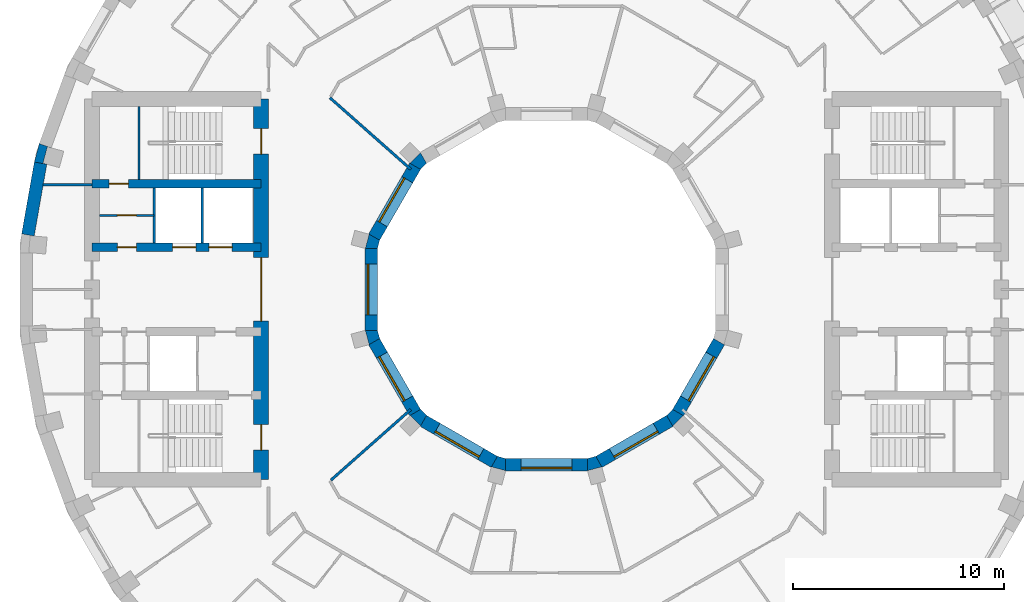
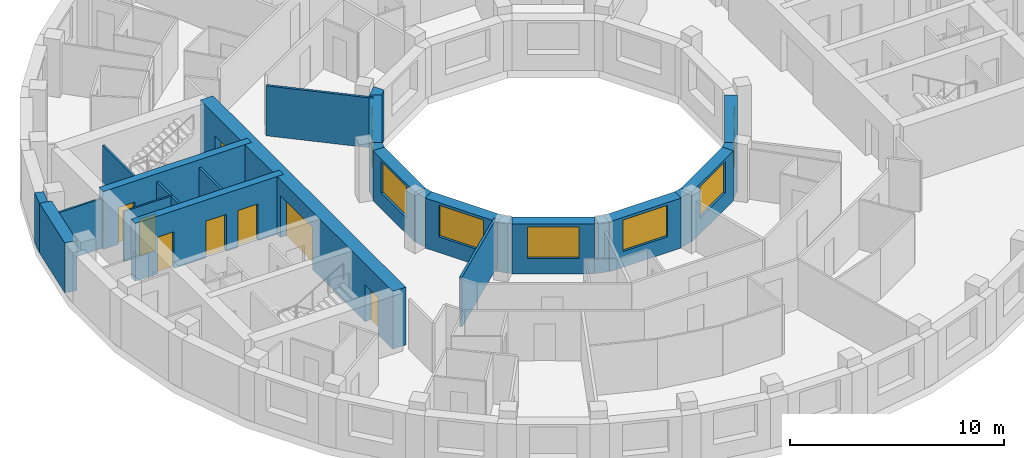
# One storey, part 4 of 11: 26 walls, 8 doors, 7 windows, 15 openings.
"""IFC4 building model written with IfcOpenShell, lengths in metres."""

from ifc_helpers import new_model, si_unit, direction, frame, frame_2d, origin, place, context, subcontext, project, spatial, polyline, rectangle, outline, extrude, material, layer, layer_set, type_object, element, fill, save


model = new_model("IFC4")

# Units and contexts
model_context = context("Model", 3, precision=1e-05, world=origin(), true_north=direction((0.0, 1.0)))
body_context = subcontext(model_context, "Body", "Model", "MODEL_VIEW")
ifc_project = project(units=[si_unit("LENGTHUNIT", "METRE"), si_unit("AREAUNIT", "SQUARE_METRE"), si_unit("VOLUMEUNIT", "CUBIC_METRE"), si_unit("PLANEANGLEUNIT", "RADIAN"), si_unit("MASSUNIT", "GRAM", prefix="KILO")], contexts=[model_context])

# Site, building, storey
site_placement = place(None, origin())
site = spatial("IfcSite", under=ifc_project, at=site_placement, CompositionType="ELEMENT")
building_placement = place(site_placement, origin())
building = spatial("IfcBuilding", under=site, at=building_placement, Name="Saqina Gate Tower", CompositionType="ELEMENT")
storey_placement = place(building_placement, frame((0.0, 0.0, 187.199951171875)))
storey = spatial("IfcBuildingStorey", under=building, at=storey_placement, Name="L53", CompositionType="ELEMENT", Elevation=187.199951171875)

# Walls
ifc_material_1 = material(Name="Brick masonry (buff)", Category="masonry")
wall_type_1 = type_object("IfcWallType", Name="BRICK PIER COPING BUFF", PredefinedType="SOLIDWALL", material=ifc_material_1)
wall_1_placement = place(storey_placement, origin())
element("IfcWall", 1, at=wall_1_placement, inside=storey, type_object=wall_type_1, Name="Pier cap L53 column 17", PredefinedType="SOLIDWALL", context=body_context, shape_type="SweptSolid", body=[
    extrude(outline(polyline([(-24.22705078125, 6.0234375), (-23.635986328125, 5.919189453125), (-23.81689453125, 5.967529296875), (-23.610107421875, 6.740478515625), (-23.428955078125, 6.69189453125), (-23.992919921875, 6.897216796875), (-24.22705078125, 6.0234375)])), origin(), (0.0, 0.0, 1.0), 2.85009765625),
])
ifc_material_2 = material(Name="Gypsum board on steel studs", Category="steel")
ifc_layer_1 = layer(ifc_material_2, 0.10009765625)
ifc_layer_set_1 = layer_set([ifc_layer_1], Name="CORE PARTITION")
wall_type_2 = type_object("IfcWallType", Name="CORE PARTITION", PredefinedType="PARTITIONING", material=ifc_layer_set_1)
wall_2_placement = place(storey_placement, frame((-21.5, 4.949951171875, 0.0), z_axis=(0.0, 0.0, 1.0), x_axis=(-1.0, 0.0, 0.0)))
element("IfcWall", 2, at=wall_2_placement, inside=storey, type_object=wall_type_2, Name="L53-CP-W01", PredefinedType="PARTITIONING", context=body_context, shape_type="SweptSolid", body=[
    extrude(rectangle(XDim=2.306884765625, YDim=0.10009765625, at=frame_2d((1.1533203125, 0.0))), origin(), (0.0, 0.0, 1.0), 2.85009765625),
])

# Wall, opening, door
wall_3_placement = place(storey_placement, frame((-18.56005859375, 3.5, 0.0), z_axis=(0.0, 0.0, 1.0), x_axis=(-1.0, 0.0, 0.0)))
wall_3 = element("IfcWall", 3, at=wall_3_placement, inside=storey, type_object=wall_type_2, Name="L53-CP-W10", PredefinedType="PARTITIONING", context=body_context, shape_type="SweptSolid", body=[
    extrude(rectangle(XDim=2.58984375, YDim=0.10009765625, at=frame_2d((1.294921875, 0.0))), origin(), (0.0, 0.0, 1.0), 2.85009765625),
])
opening_1_placement = place(wall_3_placement, frame((0.844970703125, 0.0, 0.0)))
opening_1 = element("IfcOpeningElement", 4, at=opening_1_placement, cuts=wall_3, Name="Opening G15-D113", PredefinedType="OPENING", context=body_context, shape_type="SweptSolid", body=[
    extrude(rectangle(XDim=0.89990234375, YDim=2.10009765625, at=frame_2d((0.449951171875, 1.050048828125))), frame((0.0, 0.06201171875, 0.0), z_axis=(0.0, -1.0, 0.0), x_axis=(1.0, 0.0, 0.0)), (0.0, 0.0, 1.0), 0.1240234375),
])
ifc_material_3 = material(Name="Steel-framed fire door leaf, EI 60", Category="steel")
door_type_1 = type_object("IfcDoorType", Name="SERVICE ROOM DOOR 900", OperationType="SINGLE_SWING_LEFT", PredefinedType="DOOR", material=ifc_material_3)
door_1_placement = place(opening_1_placement, frame((0.89990234375, 0.0, 0.0), z_axis=(0.0, 0.0, 1.0), x_axis=(-1.0, 0.0, 0.0)))
door_1 = element("IfcDoor", 5, at=door_1_placement, inside=storey, type_object=door_type_1, Name="L53-CD-W24", OperationType="SINGLE_SWING_LEFT", OverallHeight=2.10009765625, OverallWidth=0.89990234375, PredefinedType="DOOR", context=body_context, shape_type="SweptSolid", body=[
    extrude(rectangle(XDim=0.89990234375, YDim=2.10009765625, at=frame_2d((0.449951171875, 1.050048828125))), frame((0.0, 0.02490234375, 0.0), z_axis=(0.0, -1.0, 0.0), x_axis=(1.0, 0.0, 0.0)), (0.0, 0.0, 1.0), 0.050048828125),
])
fill(opening_1, door_1)

# Wall
ifc_material_4 = material(Name="Glazed ceramic tile (dark blue)", Category="ceramic")
ifc_layer_2 = layer(ifc_material_4, 0.60009765625)
ifc_layer_set_2 = layer_set([ifc_layer_2], Name="FW-TILE-CB")
wall_type_3 = type_object("IfcWallType", Name="FW-TILE-CB", PredefinedType="SOLIDWALL", material=ifc_layer_set_2)
wall_4_placement = place(storey_placement, frame((-23.931640625, 5.97119140625, 0.0), z_axis=(0.0, 0.0, 1.0), x_axis=(-0.173607684551, -0.984814892183, 0.0)))
element("IfcWall", 6, at=wall_4_placement, inside=storey, type_object=wall_type_3, Name="Facade wall L53 facet 17", PredefinedType="SOLIDWALL", context=body_context, shape_type="SweptSolid", body=[
    extrude(rectangle(XDim=3.44970703125, YDim=0.60009765625, at=frame_2d((1.724853515625, 0.0))), origin(), (0.0, 0.0, 1.0), 2.85009765625),
])

# Wall, opening, window
ifc_material_5 = material(Name="Glazed ceramic tile", Category="ceramic")
ifc_layer_3 = layer(ifc_material_5, 0.60009765625)
ifc_layer_set_3 = layer_set([ifc_layer_3], Name="IW-TILE")
wall_type_4 = type_object("IfcWallType", Name="IW-TILE", PredefinedType="SOLIDWALL", material=ifc_layer_set_3)
wall_5_placement = place(storey_placement, frame((-6.220458984375, 5.82568359375, 0.0), z_axis=(0.0, 0.0, 1.0), x_axis=(-0.500033728941, -0.866005929495, 0.0)))
wall_5 = element("IfcWall", 7, at=wall_5_placement, inside=storey, type_object=wall_type_4, Name="Well wall L53 facet 5", PredefinedType="SOLIDWALL", context=body_context, shape_type="SweptSolid", body=[
    extrude(rectangle(XDim=3.869873046875, YDim=0.60009765625, at=frame_2d((1.93505859375, 0.0))), origin(), (0.0, 0.0, 1.0), 2.85009765625),
])
opening_2_placement = place(wall_5_placement, frame((0.73486328125, 0.0, 0.89990234375)))
opening_2 = element("IfcOpeningElement", 8, at=opening_2_placement, cuts=wall_5, Name="Opening G15-W30", PredefinedType="OPENING", context=body_context, shape_type="SweptSolid", body=[
    extrude(rectangle(XDim=2.39990234375, YDim=1.800048828125, at=frame_2d((1.199951171875, 0.89990234375))), frame((0.0, 0.31201171875, 0.0), z_axis=(0.0, -1.0, 0.0), x_axis=(1.0, 0.0, 0.0)), (0.0, 0.0, 1.0), 0.6240234375),
])
ifc_material_6 = material(Name="Aluminium glazing", Category="aluminium")
window_type = type_object("IfcWindowType", Name="WN-W", PartitioningType="SINGLE_PANEL", PredefinedType="WINDOW", material=ifc_material_6)
window_1_placement = place(opening_2_placement, origin())
window_1 = element("IfcWindow", 9, at=window_1_placement, inside=storey, type_object=window_type, Name="Well window L53 facet 5", OverallHeight=1.800048828125, OverallWidth=2.39990234375, PartitioningType="SINGLE_PANEL", PredefinedType="WINDOW", context=body_context, shape_type="SweptSolid", body=[
    extrude(rectangle(XDim=2.39990234375, YDim=1.800048828125, at=frame_2d((1.199951171875, 0.89990234375))), frame((0.0, -0.119873046875, 0.0), z_axis=(0.0, -1.0, 0.0), x_axis=(1.0, 0.0, 0.0)), (0.0, 0.0, 1.0), 0.06005859375),
])
fill(opening_2, window_1)

wall_6_placement = place(storey_placement, frame((-8.300048828125, 1.934814453125, 0.0), z_axis=(0.0, 0.0, 1.0), x_axis=(0.0, -1.0, 0.0)))
wall_6 = element("IfcWall", 10, at=wall_6_placement, inside=storey, type_object=wall_type_4, Name="Well wall L53 facet 6", PredefinedType="SOLIDWALL", context=body_context, shape_type="SweptSolid", body=[
    extrude(rectangle(XDim=3.86962890625, YDim=0.60009765625, at=frame_2d((1.934814453125, 0.0))), origin(), (0.0, 0.0, 1.0), 2.85009765625),
])
opening_3_placement = place(wall_6_placement, frame((0.73486328125, 0.0, 0.89990234375)))
opening_3 = element("IfcOpeningElement", 11, at=opening_3_placement, cuts=wall_6, Name="Opening G15-W31", PredefinedType="OPENING", context=body_context, shape_type="SweptSolid", body=[
    extrude(rectangle(XDim=2.39990234375, YDim=1.800048828125, at=frame_2d((1.199951171875, 0.89990234375))), frame((0.0, 0.31201171875, 0.0), z_axis=(0.0, -1.0, 0.0), x_axis=(1.0, 0.0, 0.0)), (0.0, 0.0, 1.0), 0.6240234375),
])
window_2_placement = place(opening_3_placement, origin())
window_2 = element("IfcWindow", 12, at=window_2_placement, inside=storey, type_object=window_type, Name="Well window L53 facet 6", OverallHeight=1.800048828125, OverallWidth=2.39990234375, PartitioningType="SINGLE_PANEL", PredefinedType="WINDOW", context=body_context, shape_type="SweptSolid", body=[
    extrude(rectangle(XDim=2.39990234375, YDim=1.800048828125, at=frame_2d((1.199951171875, 0.89990234375))), frame((0.0, -0.119873046875, 0.0), z_axis=(0.0, -1.0, 0.0), x_axis=(1.0, 0.0, 0.0)), (0.0, 0.0, 1.0), 0.06005859375),
])
fill(opening_3, window_2)

wall_7_placement = place(storey_placement, frame((-8.155517578125, -2.474365234375, 0.0), z_axis=(0.0, 0.0, 1.0), x_axis=(0.500033728941, -0.866005929495, 0.0)))
wall_7 = element("IfcWall", 13, at=wall_7_placement, inside=storey, type_object=wall_type_4, Name="Well wall L53 facet 7", PredefinedType="SOLIDWALL", context=body_context, shape_type="SweptSolid", body=[
    extrude(rectangle(XDim=3.869873046875, YDim=0.60009765625, at=frame_2d((1.93505859375, 0.0))), origin(), (0.0, 0.0, 1.0), 2.85009765625),
])
opening_4_placement = place(wall_7_placement, frame((0.73486328125, 0.0, 0.89990234375)))
opening_4 = element("IfcOpeningElement", 14, at=opening_4_placement, cuts=wall_7, Name="Opening G15-W32", PredefinedType="OPENING", context=body_context, shape_type="SweptSolid", body=[
    extrude(rectangle(XDim=2.39990234375, YDim=1.800048828125, at=frame_2d((1.199951171875, 0.89990234375))), frame((0.0, 0.31201171875, 0.0), z_axis=(0.0, -1.0, 0.0), x_axis=(1.0, 0.0, 0.0)), (0.0, 0.0, 1.0), 0.6240234375),
])
window_3_placement = place(opening_4_placement, origin())
window_3 = element("IfcWindow", 15, at=window_3_placement, inside=storey, type_object=window_type, Name="Well window L53 facet 7", OverallHeight=1.800048828125, OverallWidth=2.39990234375, PartitioningType="SINGLE_PANEL", PredefinedType="WINDOW", context=body_context, shape_type="SweptSolid", body=[
    extrude(rectangle(XDim=2.39990234375, YDim=1.800048828125, at=frame_2d((1.199951171875, 0.89990234375))), frame((0.0, -0.119873046875, 0.0), z_axis=(0.0, -1.0, 0.0), x_axis=(1.0, 0.0, 0.0)), (0.0, 0.0, 1.0), 0.06005859375),
])
fill(opening_4, window_3)

wall_8_placement = place(storey_placement, frame((-5.82568359375, -6.220458984375, 0.0), z_axis=(0.0, 0.0, 1.0), x_axis=(0.866005929495, -0.500033728941, 0.0)))
wall_8 = element("IfcWall", 16, at=wall_8_placement, inside=storey, type_object=wall_type_4, Name="Well wall L53 facet 8", PredefinedType="SOLIDWALL", context=body_context, shape_type="SweptSolid", body=[
    extrude(rectangle(XDim=3.869873046875, YDim=0.60009765625, at=frame_2d((1.93505859375, 0.0))), origin(), (0.0, 0.0, 1.0), 2.85009765625),
])
opening_5_placement = place(wall_8_placement, frame((0.73486328125, 0.0, 0.89990234375)))
opening_5 = element("IfcOpeningElement", 17, at=opening_5_placement, cuts=wall_8, Name="Opening G15-W33", PredefinedType="OPENING", context=body_context, shape_type="SweptSolid", body=[
    extrude(rectangle(XDim=2.39990234375, YDim=1.800048828125, at=frame_2d((1.199951171875, 0.89990234375))), frame((0.0, 0.31201171875, 0.0), z_axis=(0.0, -1.0, 0.0), x_axis=(1.0, 0.0, 0.0)), (0.0, 0.0, 1.0), 0.6240234375),
])
window_4_placement = place(opening_5_placement, origin())
window_4 = element("IfcWindow", 18, at=window_4_placement, inside=storey, type_object=window_type, Name="Well window L53 facet 8", OverallHeight=1.800048828125, OverallWidth=2.39990234375, PartitioningType="SINGLE_PANEL", PredefinedType="WINDOW", context=body_context, shape_type="SweptSolid", body=[
    extrude(rectangle(XDim=2.39990234375, YDim=1.800048828125, at=frame_2d((1.199951171875, 0.89990234375))), frame((0.0, -0.119873046875, 0.0), z_axis=(0.0, -1.0, 0.0), x_axis=(1.0, 0.0, 0.0)), (0.0, 0.0, 1.0), 0.06005859375),
])
fill(opening_5, window_4)

wall_9_placement = place(storey_placement, frame((-1.934814453125, -8.300048828125, 0.0), z_axis=(0.0, 0.0, 1.0), x_axis=(1.0, 0.0, 0.0)))
wall_9 = element("IfcWall", 19, at=wall_9_placement, inside=storey, type_object=wall_type_4, Name="Well wall L53 facet 9", PredefinedType="SOLIDWALL", context=body_context, shape_type="SweptSolid", body=[
    extrude(rectangle(XDim=3.86962890625, YDim=0.60009765625, at=frame_2d((1.934814453125, 0.0))), origin(), (0.0, 0.0, 1.0), 2.85009765625),
])
opening_6_placement = place(wall_9_placement, frame((0.73486328125, 0.0, 0.89990234375)))
opening_6 = element("IfcOpeningElement", 20, at=opening_6_placement, cuts=wall_9, Name="Opening G15-W34", PredefinedType="OPENING", context=body_context, shape_type="SweptSolid", body=[
    extrude(rectangle(XDim=2.39990234375, YDim=1.800048828125, at=frame_2d((1.199951171875, 0.89990234375))), frame((0.0, 0.31201171875, 0.0), z_axis=(0.0, -1.0, 0.0), x_axis=(1.0, 0.0, 0.0)), (0.0, 0.0, 1.0), 0.6240234375),
])
window_5_placement = place(opening_6_placement, origin())
window_5 = element("IfcWindow", 21, at=window_5_placement, inside=storey, type_object=window_type, Name="Well window L53 facet 9", OverallHeight=1.800048828125, OverallWidth=2.39990234375, PartitioningType="SINGLE_PANEL", PredefinedType="WINDOW", context=body_context, shape_type="SweptSolid", body=[
    extrude(rectangle(XDim=2.39990234375, YDim=1.800048828125, at=frame_2d((1.199951171875, 0.89990234375))), frame((0.0, -0.119873046875, 0.0), z_axis=(0.0, -1.0, 0.0), x_axis=(1.0, 0.0, 0.0)), (0.0, 0.0, 1.0), 0.06005859375),
])
fill(opening_6, window_5)

wall_10_placement = place(storey_placement, frame((2.474365234375, -8.155517578125, 0.0), z_axis=(0.0, 0.0, 1.0), x_axis=(0.866005929495, 0.500033728941, 0.0)))
wall_10 = element("IfcWall", 22, at=wall_10_placement, inside=storey, type_object=wall_type_4, Name="Well wall L53 facet 10", PredefinedType="SOLIDWALL", context=body_context, shape_type="SweptSolid", body=[
    extrude(rectangle(XDim=3.869873046875, YDim=0.60009765625, at=frame_2d((1.93505859375, 0.0))), origin(), (0.0, 0.0, 1.0), 2.85009765625),
])
opening_7_placement = place(wall_10_placement, frame((0.73486328125, 0.0, 0.89990234375)))
opening_7 = element("IfcOpeningElement", 23, at=opening_7_placement, cuts=wall_10, Name="Opening G15-W35", PredefinedType="OPENING", context=body_context, shape_type="SweptSolid", body=[
    extrude(rectangle(XDim=2.39990234375, YDim=1.800048828125, at=frame_2d((1.199951171875, 0.89990234375))), frame((0.0, 0.31201171875, 0.0), z_axis=(0.0, -1.0, 0.0), x_axis=(1.0, 0.0, 0.0)), (0.0, 0.0, 1.0), 0.6240234375),
])
window_6_placement = place(opening_7_placement, origin())
window_6 = element("IfcWindow", 24, at=window_6_placement, inside=storey, type_object=window_type, Name="Well window L53 facet 10", OverallHeight=1.800048828125, OverallWidth=2.39990234375, PartitioningType="SINGLE_PANEL", PredefinedType="WINDOW", context=body_context, shape_type="SweptSolid", body=[
    extrude(rectangle(XDim=2.39990234375, YDim=1.800048828125, at=frame_2d((1.199951171875, 0.89990234375))), frame((0.0, -0.119873046875, 0.0), z_axis=(0.0, -1.0, 0.0), x_axis=(1.0, 0.0, 0.0)), (0.0, 0.0, 1.0), 0.06005859375),
])
fill(opening_7, window_6)

wall_11_placement = place(storey_placement, frame((6.220458984375, -5.82568359375, 0.0), z_axis=(0.0, 0.0, 1.0), x_axis=(0.500033728941, 0.866005929495, 0.0)))
wall_11 = element("IfcWall", 25, at=wall_11_placement, inside=storey, type_object=wall_type_4, Name="Well wall L53 facet 11", PredefinedType="SOLIDWALL", context=body_context, shape_type="SweptSolid", body=[
    extrude(rectangle(XDim=3.869873046875, YDim=0.60009765625, at=frame_2d((1.93505859375, 0.0))), origin(), (0.0, 0.0, 1.0), 2.85009765625),
])
opening_8_placement = place(wall_11_placement, frame((0.73486328125, 0.0, 0.89990234375)))
opening_8 = element("IfcOpeningElement", 26, at=opening_8_placement, cuts=wall_11, Name="Opening G15-W36", PredefinedType="OPENING", context=body_context, shape_type="SweptSolid", body=[
    extrude(rectangle(XDim=2.39990234375, YDim=1.800048828125, at=frame_2d((1.199951171875, 0.89990234375))), frame((0.0, 0.31201171875, 0.0), z_axis=(0.0, -1.0, 0.0), x_axis=(1.0, 0.0, 0.0)), (0.0, 0.0, 1.0), 0.6240234375),
])
window_7_placement = place(opening_8_placement, origin())
window_7 = element("IfcWindow", 27, at=window_7_placement, inside=storey, type_object=window_type, Name="Well window L53 facet 11", OverallHeight=1.800048828125, OverallWidth=2.39990234375, PartitioningType="SINGLE_PANEL", PredefinedType="WINDOW", context=body_context, shape_type="SweptSolid", body=[
    extrude(rectangle(XDim=2.39990234375, YDim=1.800048828125, at=frame_2d((1.199951171875, 0.89990234375))), frame((0.0, -0.119873046875, 0.0), z_axis=(0.0, -1.0, 0.0), x_axis=(1.0, 0.0, 0.0)), (0.0, 0.0, 1.0), 0.06005859375),
])
fill(opening_8, window_7)

# Walls
ifc_material_7 = material(Name="Gypsum board on steel studs, 125 mm, fire rated", Category="steel")
ifc_layer_4 = layer(ifc_material_7, 0.125)
ifc_layer_set_4 = layer_set([ifc_layer_4], Name="PARTITION EI 30 125")
wall_type_5 = type_object("IfcWallType", Name="PARTITION EI 30 125", PredefinedType="PARTITIONING", material=ifc_layer_set_4)
wall_12_placement = place(storey_placement, frame((-10.242919921875, 9.06005859375, 0.0), z_axis=(0.0, 0.0, 1.0), x_axis=(0.748988343692, -0.662583172903, 0.0)))
element("IfcWall", 28, at=wall_12_placement, inside=storey, type_object=wall_type_5, Name="PARTITION PW1-10", PredefinedType="PARTITIONING", context=body_context, shape_type="SweptSolid", body=[
    extrude(rectangle(XDim=5.10302734375, YDim=0.125, at=frame_2d((2.551513671875, 0.0))), origin(), (0.0, 0.0, 1.0), 2.85009765625),
])
wall_13_placement = place(storey_placement, frame((-10.1962890625, -9.0185546875, 0.0), z_axis=(0.0, 0.0, 1.0), x_axis=(0.74896790207, 0.662606279527, 0.0)))
element("IfcWall", 29, at=wall_13_placement, inside=storey, type_object=wall_type_5, Name="PARTITION PW1-31", PredefinedType="PARTITIONING", context=body_context, shape_type="SweptSolid", body=[
    extrude(rectangle(XDim=5.04052734375, YDim=0.125, at=frame_2d((2.520263671875, 0.0))), origin(), (0.0, 0.0, 1.0), 2.85009765625),
])
ifc_material_8 = material(Name="Autoclaved aerated concrete block", Category="concrete")
ifc_layer_5 = layer(ifc_material_8, 0.1201171875)
ifc_layer_set_5 = layer_set([ifc_layer_5], Name="SHAFT PARTITION")
wall_type_6 = type_object("IfcWallType", Name="SHAFT PARTITION", PredefinedType="PARTITIONING", material=ifc_layer_set_5)
for number, where, z_axis, x_axis, name in (
    (30, (-16.280029296875, 2.199951171875, 0.0), (0.0, 0.0, 1.0), (0.0, 1.0, 0.0), "L53-CP-W05"),
    (31, (-18.56005859375, 2.199951171875, 0.0), (0.0, 0.0, 1.0), (0.0, 1.0, 0.0), "L53-CP-W06"),
):
    element("IfcWall", number, at=place(storey_placement, frame(where, z_axis=z_axis, x_axis=x_axis)), inside=storey, type_object=wall_type_6, Name=name, PredefinedType="PARTITIONING", context=body_context, shape_type="SweptSolid", body=[
        extrude(rectangle(XDim=2.60009765625, YDim=0.1201171875, at=frame_2d((1.300048828125, 0.0))), origin(), (0.0, 0.0, 1.0), 2.85009765625),
    ])
ifc_material_9 = material(Name="Autoclaved aerated concrete block", Category="concrete")
ifc_layer_6 = layer(ifc_material_9, 0.10009765625)
ifc_layer_set_6 = layer_set([ifc_layer_6], Name="STAIR ENCLOSURE WALL")
wall_type_7 = type_object("IfcWallType", Name="STAIR ENCLOSURE WALL", PredefinedType="PARTITIONING", material=ifc_layer_set_6)
wall_14_placement = place(storey_placement, frame((-19.27001953125, 5.199951171875, 0.0), z_axis=(0.0, 0.0, 1.0), x_axis=(0.0, 1.0, 0.0)))
element("IfcWall", 32, at=wall_14_placement, inside=storey, type_object=wall_type_7, Name="L53-CP-W13", PredefinedType="PARTITIONING", context=body_context, shape_type="SweptSolid", body=[
    extrude(rectangle(XDim=3.449951171875, YDim=0.10009765625, at=frame_2d((1.72509765625, 0.0))), origin(), (0.0, 0.0, 1.0), 2.85009765625),
])

# Wall, opening, door
ifc_material_10 = material(Name="Concrete C60/75", Category="concrete")
ifc_layer_7 = layer(ifc_material_10, 0.39990234375)
ifc_layer_set_7 = layer_set([ifc_layer_7], Name="Concrete C60/75")
wall_type_8 = type_object("IfcWallType", Name="STR-CORE WALL-C-I", PredefinedType="SHEAR", material=ifc_layer_set_7)
wall_15_placement = place(storey_placement, frame((-13.5, 5.0, 0.0), z_axis=(0.0, 0.0, 1.0), x_axis=(-1.0, 0.0, 0.0)))
wall_15 = element("IfcWall", 33, at=wall_15_placement, inside=storey, type_object=wall_type_8, Name="CORE WALL L53 W-X1", PredefinedType="SHEAR", context=body_context, shape_type="SweptSolid", body=[
    extrude(rectangle(XDim=8.0, YDim=0.39990234375, at=frame_2d((4.0, 0.0))), origin(), (0.0, 0.0, 1.0), 3.300048828125),
])
opening_9_placement = place(wall_15_placement, frame((6.284912109375, 0.0, 0.0)))
opening_9 = element("IfcOpeningElement", 34, at=opening_9_placement, cuts=wall_15, Name="Opening G15-D114", PredefinedType="OPENING", context=body_context, shape_type="SweptSolid", body=[
    extrude(rectangle(XDim=0.89990234375, YDim=2.10009765625, at=frame_2d((0.449951171875, 1.050048828125))), frame((0.0, 0.2119140625, 0.0), z_axis=(0.0, -1.0, 0.0), x_axis=(1.0, 0.0, 0.0)), (0.0, 0.0, 1.0), 0.423828125),
])
door_2_placement = place(opening_9_placement, frame((0.89990234375, 0.0, 0.0), z_axis=(0.0, 0.0, 1.0), x_axis=(-1.0, 0.0, 0.0)))
door_2 = element("IfcDoor", 35, at=door_2_placement, inside=storey, type_object=door_type_1, Name="L53-CD-W25", OperationType="SINGLE_SWING_LEFT", OverallHeight=2.10009765625, OverallWidth=0.89990234375, PredefinedType="DOOR", context=body_context, shape_type="SweptSolid", body=[
    extrude(rectangle(XDim=0.89990234375, YDim=2.10009765625, at=frame_2d((0.449951171875, 1.050048828125))), frame((0.0, 0.02490234375, 0.0), z_axis=(0.0, -1.0, 0.0), x_axis=(1.0, 0.0, 0.0)), (0.0, 0.0, 1.0), 0.050048828125),
])
fill(opening_9, door_2)

# Wall, openings, doors
wall_16_placement = place(storey_placement, frame((-13.5, 2.0, 0.0), z_axis=(0.0, 0.0, 1.0), x_axis=(-1.0, 0.0, 0.0)))
wall_16 = element("IfcWall", 36, at=wall_16_placement, inside=storey, type_object=wall_type_8, Name="CORE WALL L53 W-L1", PredefinedType="SHEAR", context=body_context, shape_type="SweptSolid", body=[
    extrude(rectangle(XDim=8.0, YDim=0.39990234375, at=frame_2d((4.0, 0.0))), origin(), (0.0, 0.0, 1.0), 3.300048828125),
])
opening_10_placement = place(wall_16_placement, frame((1.3701171875, 0.0, 0.0)))
opening_10 = element("IfcOpeningElement", 37, at=opening_10_placement, cuts=wall_16, Name="Opening G15-LD4", PredefinedType="OPENING", context=body_context, shape_type="SweptSolid", body=[
    extrude(rectangle(XDim=1.10009765625, YDim=2.10009765625, at=frame_2d((0.550048828125, 1.050048828125))), frame((0.0, 0.2119140625, 0.0), z_axis=(0.0, -1.0, 0.0), x_axis=(1.0, 0.0, 0.0)), (0.0, 0.0, 1.0), 0.423828125),
])
opening_11_placement = place(wall_16_placement, frame((3.090087890625, 0.0, 0.0)))
opening_11 = element("IfcOpeningElement", 38, at=opening_11_placement, cuts=wall_16, Name="Opening G15-LD5", PredefinedType="OPENING", context=body_context, shape_type="SweptSolid", body=[
    extrude(rectangle(XDim=1.10009765625, YDim=2.10009765625, at=frame_2d((0.550048828125, 1.050048828125))), frame((0.0, 0.2119140625, 0.0), z_axis=(0.0, -1.0, 0.0), x_axis=(1.0, 0.0, 0.0)), (0.0, 0.0, 1.0), 0.423828125),
])
opening_12_placement = place(wall_16_placement, frame((5.905029296875, 0.0, 0.0)))
opening_12 = element("IfcOpeningElement", 39, at=opening_12_placement, cuts=wall_16, Name="Opening G15-D106", PredefinedType="OPENING", context=body_context, shape_type="SweptSolid", body=[
    extrude(rectangle(XDim=0.89990234375, YDim=2.10009765625, at=frame_2d((0.449951171875, 1.050048828125))), frame((0.0, 0.2119140625, 0.0), z_axis=(0.0, -1.0, 0.0), x_axis=(1.0, 0.0, 0.0)), (0.0, 0.0, 1.0), 0.423828125),
])
ifc_material_11 = material(Name="Stainless steel", Category="steel")
door_type_2 = type_object("IfcDoorType", Name="LANDING DOOR", OperationType="DOUBLE_DOOR_SLIDING", PredefinedType="DOOR", material=ifc_material_11)
door_3_placement = place(opening_10_placement, origin())
door_3 = element("IfcDoor", 40, at=door_3_placement, inside=storey, type_object=door_type_2, Name="LANDING DOOR HR3", OperationType="DOUBLE_DOOR_SLIDING", OverallHeight=2.10009765625, OverallWidth=1.10009765625, PredefinedType="DOOR", context=body_context, shape_type="SweptSolid", body=[
    extrude(rectangle(XDim=1.10009765625, YDim=2.10009765625, at=frame_2d((0.550048828125, 1.050048828125))), frame((0.0, 0.02490234375, 0.0), z_axis=(0.0, -1.0, 0.0), x_axis=(1.0, 0.0, 0.0)), (0.0, 0.0, 1.0), 0.050048828125),
])
fill(opening_10, door_3)
door_4_placement = place(opening_11_placement, origin())
door_4 = element("IfcDoor", 41, at=door_4_placement, inside=storey, type_object=door_type_2, Name="LANDING DOOR HR4", OperationType="DOUBLE_DOOR_SLIDING", OverallHeight=2.10009765625, OverallWidth=1.10009765625, PredefinedType="DOOR", context=body_context, shape_type="SweptSolid", body=[
    extrude(rectangle(XDim=1.10009765625, YDim=2.10009765625, at=frame_2d((0.550048828125, 1.050048828125))), frame((0.0, 0.02490234375, 0.0), z_axis=(0.0, -1.0, 0.0), x_axis=(1.0, 0.0, 0.0)), (0.0, 0.0, 1.0), 0.050048828125),
])
fill(opening_11, door_4)
door_5_placement = place(opening_12_placement, frame((0.89990234375, 0.0, 0.0), z_axis=(0.0, 0.0, 1.0), x_axis=(-1.0, 0.0, 0.0)))
door_5 = element("IfcDoor", 42, at=door_5_placement, inside=storey, type_object=door_type_1, Name="L53-CD-W17", OperationType="SINGLE_SWING_LEFT", OverallHeight=2.10009765625, OverallWidth=0.89990234375, PredefinedType="DOOR", context=body_context, shape_type="SweptSolid", body=[
    extrude(rectangle(XDim=0.89990234375, YDim=2.10009765625, at=frame_2d((0.449951171875, 1.050048828125))), frame((0.0, 0.02490234375, 0.0), z_axis=(0.0, -1.0, 0.0), x_axis=(1.0, 0.0, 0.0)), (0.0, 0.0, 1.0), 0.050048828125),
])
fill(opening_12, door_5)

ifc_material_12 = material(Name="Concrete C60/75", Category="concrete")
ifc_layer_8 = layer(ifc_material_12, 0.699951171875)
ifc_layer_set_8 = layer_set([ifc_layer_8], Name="Concrete C60/75")
wall_type_9 = type_object("IfcWallType", Name="STR-CORE WALL-C-O", PredefinedType="SHEAR", material=ifc_layer_set_8)
wall_17_placement = place(storey_placement, frame((-13.5, -9.0, 0.0), z_axis=(0.0, 0.0, 1.0), x_axis=(0.0, 1.0, 0.0)))
wall_17 = element("IfcWall", 43, at=wall_17_placement, inside=storey, type_object=wall_type_9, Name="CORE WALL L53 W-W1", PredefinedType="SHEAR", context=body_context, shape_type="SweptSolid", body=[
    extrude(rectangle(XDim=18.0, YDim=0.699951171875, at=frame_2d((9.0, 0.0))), origin(), (0.0, 0.0, 1.0), 3.300048828125),
])
opening_13_placement = place(wall_17_placement, frame((15.39990234375, 0.0, 0.0)))
opening_13 = element("IfcOpeningElement", 44, at=opening_13_placement, cuts=wall_17, Name="Opening G15-D119", PredefinedType="OPENING", context=body_context, shape_type="SweptSolid", body=[
    extrude(rectangle(XDim=1.199951171875, YDim=2.10009765625, at=frame_2d((0.60009765625, 1.050048828125))), frame((0.0, 0.362060546875, 0.0), z_axis=(0.0, -1.0, 0.0), x_axis=(1.0, 0.0, 0.0)), (0.0, 0.0, 1.0), 0.723876953125),
])
opening_14_placement = place(wall_17_placement, frame((1.39990234375, 0.0, 0.0)))
opening_14 = element("IfcOpeningElement", 45, at=opening_14_placement, cuts=wall_17, Name="Opening G15-D120", PredefinedType="OPENING", context=body_context, shape_type="SweptSolid", body=[
    extrude(rectangle(XDim=1.199951171875, YDim=2.10009765625, at=frame_2d((0.60009765625, 1.050048828125))), frame((0.0, 0.362060546875, 0.0), z_axis=(0.0, -1.0, 0.0), x_axis=(1.0, 0.0, 0.0)), (0.0, 0.0, 1.0), 0.723876953125),
])
opening_15_placement = place(wall_17_placement, frame((7.5, 0.0, 0.0)))
opening_15 = element("IfcOpeningElement", 46, at=opening_15_placement, cuts=wall_17, Name="Opening G15-D121", PredefinedType="OPENING", context=body_context, shape_type="SweptSolid", body=[
    extrude(rectangle(XDim=3.0, YDim=2.39990234375, at=frame_2d((1.5, 1.199951171875))), frame((0.0, 0.362060546875, 0.0), z_axis=(0.0, -1.0, 0.0), x_axis=(1.0, 0.0, 0.0)), (0.0, 0.0, 1.0), 0.723876953125),
])
ifc_material_13 = material(Name="Steel", Category="steel")
door_type_3 = type_object("IfcDoorType", Name="FIRE DOOR EI 60", OperationType="SINGLE_SWING_LEFT", PredefinedType="DOOR", material=ifc_material_13)
door_6_placement = place(opening_13_placement, origin())
door_6 = element("IfcDoor", 47, at=door_6_placement, inside=storey, type_object=door_type_3, Name="L53-CD-W30", OperationType="SINGLE_SWING_RIGHT", OverallHeight=2.10009765625, OverallWidth=1.199951171875, PredefinedType="DOOR", context=body_context, shape_type="SweptSolid", body=[
    extrude(rectangle(XDim=1.199951171875, YDim=2.10009765625, at=frame_2d((0.60009765625, 1.050048828125))), frame((0.0, 0.02490234375, 0.0), z_axis=(0.0, -1.0, 0.0), x_axis=(1.0, 0.0, 0.0)), (0.0, 0.0, 1.0), 0.050048828125),
])
fill(opening_13, door_6)
door_7_placement = place(opening_14_placement, origin())
door_7 = element("IfcDoor", 48, at=door_7_placement, inside=storey, type_object=door_type_3, Name="L53-CD-W31", OperationType="SINGLE_SWING_LEFT", OverallHeight=2.10009765625, OverallWidth=1.199951171875, PredefinedType="DOOR", context=body_context, shape_type="SweptSolid", body=[
    extrude(rectangle(XDim=1.199951171875, YDim=2.10009765625, at=frame_2d((0.60009765625, 1.050048828125))), frame((0.0, 0.02490234375, 0.0), z_axis=(0.0, -1.0, 0.0), x_axis=(1.0, 0.0, 0.0)), (0.0, 0.0, 1.0), 0.050048828125),
])
fill(opening_14, door_7)
ifc_material_14 = material(Name="Steel and fire-resisting glass", Category="steel")
door_type_4 = type_object("IfcDoorType", Name="LOBBY SCREEN DOOR", OperationType="DOUBLE_DOOR_SLIDING", PredefinedType="DOOR", material=ifc_material_14)
door_8_placement = place(opening_15_placement, origin())
door_8 = element("IfcDoor", 49, at=door_8_placement, inside=storey, type_object=door_type_4, Name="L53-CD-W32", OperationType="DOUBLE_DOOR_SLIDING", OverallHeight=2.39990234375, OverallWidth=3.0, PredefinedType="DOOR", context=body_context, shape_type="SweptSolid", body=[
    extrude(rectangle(XDim=3.0, YDim=2.39990234375, at=frame_2d((1.5, 1.199951171875))), frame((0.0, 0.02490234375, 0.0), z_axis=(0.0, -1.0, 0.0), x_axis=(1.0, 0.0, 0.0)), (0.0, 0.0, 1.0), 0.050048828125),
])
fill(opening_15, door_8)

# Walls
ifc_material_15 = material(Name="Glazed ceramic tile", Category="ceramic")
wall_type_10 = type_object("IfcWallType", Name="TILE PIER COPING", PredefinedType="SOLIDWALL", material=ifc_material_15)
wall_18_placement = place(storey_placement, origin())
element("IfcWall", 50, at=wall_18_placement, inside=storey, type_object=wall_type_10, Name="Well pier cap L53 column 5", PredefinedType="SOLIDWALL", context=body_context, shape_type="SweptSolid", body=[
    extrude(outline(polyline([(-6.45751953125, 5.96240234375), (-5.960693359375, 5.67578125), (-5.67578125, 5.960693359375), (-5.96240234375, 6.45751953125), (-6.45751953125, 5.96240234375)])), origin(), (0.0, 0.0, 1.0), 2.85009765625),
])
wall_19_placement = place(storey_placement, origin())
element("IfcWall", 51, at=wall_19_placement, inside=storey, type_object=wall_type_10, Name="Well pier cap L53 column 6", PredefinedType="SOLIDWALL", context=body_context, shape_type="SweptSolid", body=[
    extrude(outline(polyline([(-8.573486328125, 1.934814453125), (-8.0, 1.934814453125), (-7.895751953125, 2.32421875), (-8.392333984375, 2.611083984375), (-8.573486328125, 1.934814453125)])), origin(), (0.0, 0.0, 1.0), 2.85009765625),
])
wall_20_placement = place(storey_placement, origin())
element("IfcWall", 52, at=wall_20_placement, inside=storey, type_object=wall_type_10, Name="Well pier cap L53 column 7", PredefinedType="SOLIDWALL", context=body_context, shape_type="SweptSolid", body=[
    extrude(outline(polyline([(-8.0, -1.934814453125), (-8.573486328125, -1.934814453125), (-8.392333984375, -2.611083984375), (-7.895751953125, -2.32421875), (-8.0, -1.934814453125)])), origin(), (0.0, 0.0, 1.0), 2.85009765625),
])
wall_21_placement = place(storey_placement, origin())
element("IfcWall", 53, at=wall_21_placement, inside=storey, type_object=wall_type_10, Name="Well pier cap L53 column 8", PredefinedType="SOLIDWALL", context=body_context, shape_type="SweptSolid", body=[
    extrude(outline(polyline([(-6.45751953125, -5.96240234375), (-5.96240234375, -6.45751953125), (-5.67578125, -5.960693359375), (-5.960693359375, -5.67578125), (-6.45751953125, -5.96240234375)])), origin(), (0.0, 0.0, 1.0), 2.85009765625),
])
wall_22_placement = place(storey_placement, origin())
element("IfcWall", 54, at=wall_22_placement, inside=storey, type_object=wall_type_10, Name="Well pier cap L53 column 9", PredefinedType="SOLIDWALL", context=body_context, shape_type="SweptSolid", body=[
    extrude(outline(polyline([(-1.934814453125, -8.573486328125), (-1.934814453125, -8.0), (-2.32421875, -7.895751953125), (-2.611083984375, -8.392333984375), (-1.934814453125, -8.573486328125)])), origin(), (0.0, 0.0, 1.0), 2.85009765625),
])
wall_23_placement = place(storey_placement, origin())
element("IfcWall", 55, at=wall_23_placement, inside=storey, type_object=wall_type_10, Name="Well pier cap L53 column 10", PredefinedType="SOLIDWALL", context=body_context, shape_type="SweptSolid", body=[
    extrude(outline(polyline([(2.611083984375, -8.392333984375), (2.32421875, -7.895751953125), (1.934814453125, -8.0), (1.934814453125, -8.573486328125), (2.611083984375, -8.392333984375)])), origin(), (0.0, 0.0, 1.0), 2.85009765625),
])
wall_24_placement = place(storey_placement, origin())
element("IfcWall", 56, at=wall_24_placement, inside=storey, type_object=wall_type_10, Name="Well pier cap L53 column 11", PredefinedType="SOLIDWALL", context=body_context, shape_type="SweptSolid", body=[
    extrude(outline(polyline([(5.96240234375, -6.45751953125), (6.45751953125, -5.96240234375), (5.960693359375, -5.67578125), (5.67578125, -5.960693359375), (5.96240234375, -6.45751953125)])), origin(), (0.0, 0.0, 1.0), 2.85009765625),
])

save(model, "model.ifc")
